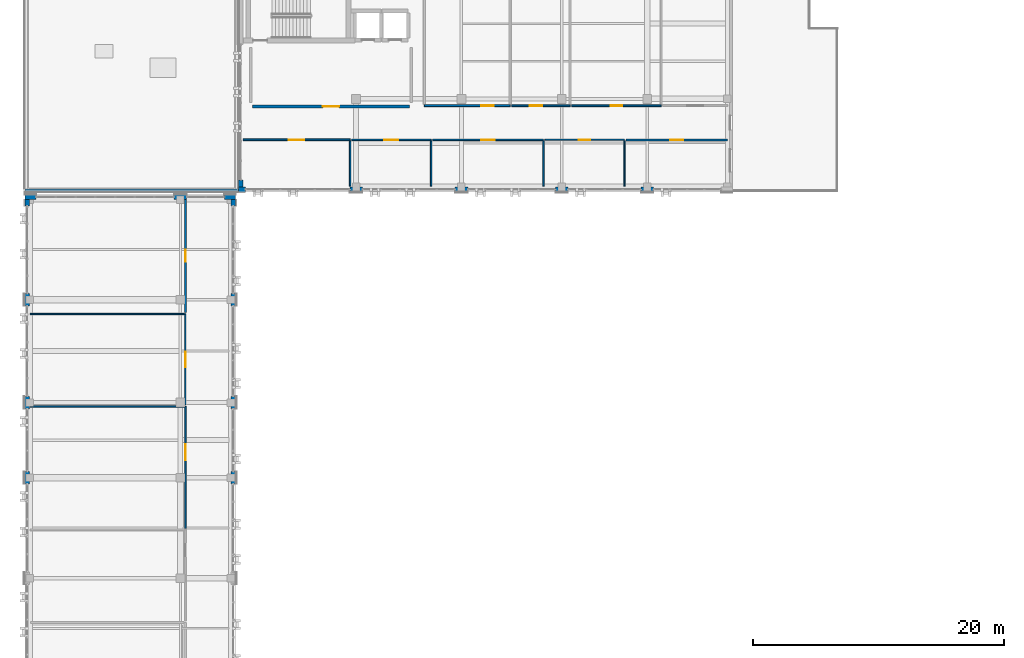
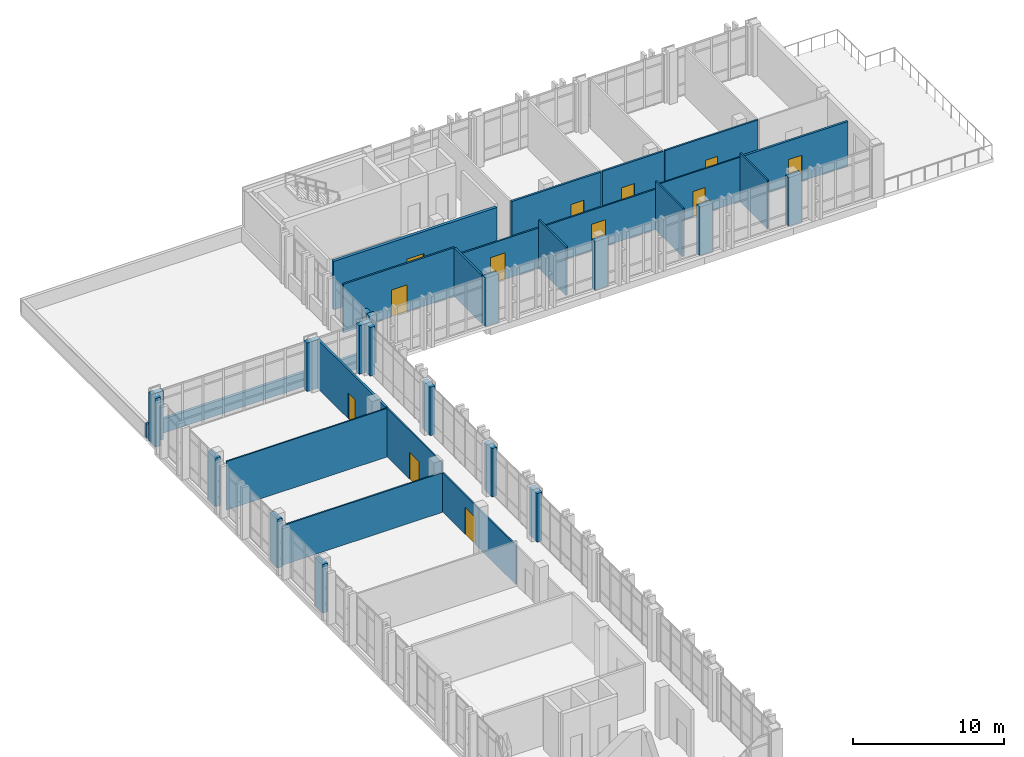
# One storey, part 70 of 90: 36 walls, 12 doors, 12 openings.
"""IFC4 building model written with IfcOpenShell, lengths in metres."""

from ifc_helpers import new_model, si_unit, direction, frame, frame_2d, origin, place, context, subcontext, project, spatial, rectangle, extrude, material, layer, layer_set, type_object, element, fill, save


model = new_model("IFC4")

# Units and contexts
model_context = context("Model", 3, precision=1e-05, world=origin(), true_north=direction((0.0, 1.0)))
body_context = subcontext(model_context, "Body", "Model", "MODEL_VIEW")
ifc_project = project(units=[si_unit("LENGTHUNIT", "METRE"), si_unit("AREAUNIT", "SQUARE_METRE"), si_unit("VOLUMEUNIT", "CUBIC_METRE"), si_unit("PLANEANGLEUNIT", "RADIAN"), si_unit("MASSUNIT", "GRAM", prefix="KILO")], contexts=[model_context])

# Site, building, storey
site_placement = place(None, origin())
site = spatial("IfcSite", under=ifc_project, at=site_placement, CompositionType="ELEMENT")
building_placement = place(site_placement, origin())
building = spatial("IfcBuilding", under=site, at=building_placement, Name="Qalavern Law Courts", CompositionType="ELEMENT")
storey_placement = place(building_placement, frame((0.0, 0.0, 22.800048828125)))
storey = spatial("IfcBuildingStorey", under=building, at=storey_placement, Name="L05", CompositionType="ELEMENT", Elevation=22.800048828125)

# Walls
ifc_material_1 = material(Name="Concrete C40/50", Category="concrete")
ifc_layer_1 = layer(ifc_material_1, 0.385009765625)
ifc_layer_set_1 = layer_set([ifc_layer_1], Name="Concrete C40/50")
wall_type_1 = type_object("IfcWallType", Name="ENV-EW-385", PredefinedType="SOLIDWALL", material=ifc_layer_set_1)
for number, where, z_axis, x_axis, name in (
    (1, (18.607421875, 72.89990234375, 0.0), (0.0, 0.0, 1.0), (0.0, 1.0, 0.0), "V3 exterior pier wall L05 east 5"),
    (2, (18.607421875, 78.89990234375, 0.0), (0.0, 0.0, 1.0), (0.0, 1.0, 0.0), "V3 exterior pier wall L05 east 6"),
    (3, (18.607421875, 87.10009765625, 0.0), (0.0, 0.0, 1.0), (0.0, 1.0, 0.0), "V3 exterior pier wall L05 east 7"),
):
    element("IfcWall", number, at=place(storey_placement, frame(where, z_axis=z_axis, x_axis=x_axis)), inside=storey, type_object=wall_type_1, Name=name, PredefinedType="SOLIDWALL", context=body_context, shape_type="SweptSolid", body=[
        extrude(rectangle(XDim=1.0, YDim=0.385009765625, at=frame_2d((0.5, 0.0))), origin(), (0.0, 0.0, 1.0), 3.929931640625),
    ])
wall_1_placement = place(storey_placement, frame((18.607421875, 95.050048828125, 0.0), z_axis=(0.0, 0.0, 1.0), x_axis=(0.0, 1.0, 0.0)))
element("IfcWall", 4, at=wall_1_placement, inside=storey, type_object=wall_type_1, Name="V3 exterior pier wall L05 east 8", PredefinedType="SOLIDWALL", context=body_context, shape_type="SweptSolid", body=[
    extrude(rectangle(XDim=0.550048828125, YDim=0.385009765625, at=frame_2d((0.27490234375, 0.0))), origin(), (0.0, 0.0, 1.0), 3.929931640625),
])
wall_2_placement = place(storey_placement, frame((18.800048828125, 95.78759765625, 0.0), z_axis=(0.0, 0.0, 1.0), x_axis=(-1.0, 0.0, 0.0)))
element("IfcWall", 5, at=wall_2_placement, inside=storey, type_object=wall_type_1, Name="V3 exterior pier wall L05 north 1", PredefinedType="SOLIDWALL", context=body_context, shape_type="SweptSolid", body=[
    extrude(rectangle(XDim=0.900146484375, YDim=0.385009765625, at=frame_2d((0.4501953125, 0.0))), origin(), (0.0, 0.0, 1.0), 3.929931640625),
])
wall_3_placement = place(storey_placement, frame((14.89990234375, 95.78759765625, 0.0), z_axis=(0.0, 0.0, 1.0), x_axis=(-1.0, 0.0, 0.0)))
element("IfcWall", 6, at=wall_3_placement, inside=storey, type_object=wall_type_1, Name="V3 exterior pier wall L05 north 2", PredefinedType="SOLIDWALL", context=body_context, shape_type="SweptSolid", body=[
    extrude(rectangle(XDim=1.0, YDim=0.385009765625, at=frame_2d((0.5, 0.0))), origin(), (0.0, 0.0, 1.0), 3.929931640625),
])
wall_4_placement = place(storey_placement, frame((2.89990234375, 95.78759765625, 0.0), z_axis=(0.0, 0.0, 1.0), x_axis=(-1.0, 0.0, 0.0)))
element("IfcWall", 7, at=wall_4_placement, inside=storey, type_object=wall_type_1, Name="V3 exterior pier wall L05 north 3", PredefinedType="SOLIDWALL", context=body_context, shape_type="SweptSolid", body=[
    extrude(rectangle(XDim=0.89990234375, YDim=0.385009765625, at=frame_2d((0.449951171875, 0.0))), origin(), (0.0, 0.0, 1.0), 3.929931640625),
])
wall_5_placement = place(storey_placement, frame((2.1923828125, 95.60009765625, 0.0), z_axis=(0.0, 0.0, 1.0), x_axis=(0.0, -1.0, 0.0)))
element("IfcWall", 8, at=wall_5_placement, inside=storey, type_object=wall_type_1, Name="V3 exterior pier wall L05 west 1", PredefinedType="SOLIDWALL", context=body_context, shape_type="SweptSolid", body=[
    extrude(rectangle(XDim=0.550048828125, YDim=0.385009765625, at=frame_2d((0.27490234375, 0.0))), origin(), (0.0, 0.0, 1.0), 3.929931640625),
])
for number, where, z_axis, x_axis, name in (
    (9, (2.1923828125, 88.10009765625, 0.0), (0.0, 0.0, 1.0), (0.0, -1.0, 0.0), "V3 exterior pier wall L05 west 2"),
    (10, (2.1923828125, 79.89990234375, 0.0), (0.0, 0.0, 1.0), (0.0, -1.0, 0.0), "V3 exterior pier wall L05 west 3"),
    (11, (2.1923828125, 73.89990234375, 0.0), (0.0, 0.0, 1.0), (0.0, -1.0, 0.0), "V3 exterior pier wall L05 west 4"),
):
    element("IfcWall", number, at=place(storey_placement, frame(where, z_axis=z_axis, x_axis=x_axis)), inside=storey, type_object=wall_type_1, Name=name, PredefinedType="SOLIDWALL", context=body_context, shape_type="SweptSolid", body=[
        extrude(rectangle(XDim=1.0, YDim=0.385009765625, at=frame_2d((0.5, 0.0))), origin(), (0.0, 0.0, 1.0), 3.929931640625),
    ])
wall_6_placement = place(storey_placement, frame((19.02001953125, 96.392578125, 0.0), z_axis=(0.0, 0.0, 1.0), x_axis=(1.0, 0.0, 0.0)))
element("IfcWall", 12, at=wall_6_placement, inside=storey, type_object=wall_type_1, Name="V5 exterior pier wall L05 south 1", PredefinedType="SOLIDWALL", context=body_context, shape_type="SweptSolid", body=[
    extrude(rectangle(XDim=0.550048828125, YDim=0.385009765625, at=frame_2d((0.27490234375, 0.0))), origin(), (0.0, 0.0, 1.0), 3.929931640625),
])
for number, where, z_axis, x_axis, name in (
    (13, (27.89990234375, 96.392578125, 0.0), (0.0, 0.0, 1.0), (1.0, 0.0, 0.0), "V5 exterior pier wall L05 south 2"),
    (14, (36.300048828125, 96.392578125, 0.0), (0.0, 0.0, 1.0), (1.0, 0.0, 0.0), "V5 exterior pier wall L05 south 3"),
    (15, (44.300048828125, 96.392578125, 0.0), (0.0, 0.0, 1.0), (1.0, 0.0, 0.0), "V5 exterior pier wall L05 south 4"),
    (16, (51.10009765625, 96.392578125, 0.0), (0.0, 0.0, 1.0), (1.0, 0.0, 0.0), "V5 exterior pier wall L05 south 5"),
):
    element("IfcWall", number, at=place(storey_placement, frame(where, z_axis=z_axis, x_axis=x_axis)), inside=storey, type_object=wall_type_1, Name=name, PredefinedType="SOLIDWALL", context=body_context, shape_type="SweptSolid", body=[
        extrude(rectangle(XDim=1.0, YDim=0.385009765625, at=frame_2d((0.5, 0.0))), origin(), (0.0, 0.0, 1.0), 3.929931640625),
    ])
wall_7_placement = place(storey_placement, frame((19.21240234375, 97.1298828125, 0.0), z_axis=(0.0, 0.0, 1.0), x_axis=(0.0, -1.0, 0.0)))
element("IfcWall", 17, at=wall_7_placement, inside=storey, type_object=wall_type_1, Name="V5 exterior pier wall L05 west 2", PredefinedType="SOLIDWALL", context=body_context, shape_type="SweptSolid", body=[
    extrude(rectangle(XDim=0.5498046875, YDim=0.385009765625, at=frame_2d((0.27490234375, 0.0))), origin(), (0.0, 0.0, 1.0), 3.929931640625),
])
ifc_layer_2 = layer(ifc_material_1, 0.219970703125)
ifc_layer_set_2 = layer_set([ifc_layer_2], Name="Concrete C40/50")
wall_type_2 = type_object("IfcWallType", Name="ENV-PAR-220", PredefinedType="PARAPET", material=ifc_layer_set_2)
wall_8_placement = place(storey_placement, frame((2.0, 96.31005859375, 0.0), z_axis=(0.0, 0.0, 1.0), x_axis=(1.0, 0.0, 0.0)))
element("IfcWall", 18, at=wall_8_placement, inside=storey, type_object=wall_type_2, Name="V5 roof parapet L05 S", PredefinedType="PARAPET", context=body_context, shape_type="SweptSolid", body=[
    extrude(rectangle(XDim=17.02001953125, YDim=0.219970703125, at=frame_2d((8.510009765625, 0.0))), origin(), (0.0, 0.0, 1.0), 1.14990234375),
])

# Wall, opening, door
ifc_layer_3 = layer(ifc_material_1, 0.22509765625)
ifc_layer_set_3 = layer_set([ifc_layer_3], Name="Concrete C40/50")
wall_type_3 = type_object("IfcWallType", Name="INT-FW-225", PredefinedType="PARTITIONING", material=ifc_layer_set_3)
wall_9_placement = place(storey_placement, frame((20.14990234375, 103.0, 0.0), z_axis=(0.0, 0.0, 1.0), x_axis=(1.0, 0.0, 0.0)))
wall_9 = element("IfcWall", 19, at=wall_9_placement, inside=storey, type_object=wall_type_3, Name="Core K3 firefighting/stair lobby fire wall L05", PredefinedType="PARTITIONING", context=body_context, shape_type="SweptSolid", body=[
    extrude(rectangle(XDim=12.5, YDim=0.22509765625, at=frame_2d((6.25, 0.0))), origin(), (0.0, 0.0, 1.0), 3.929931640625),
])
opening_1_placement = place(wall_9_placement, frame((5.60009765625, 0.0, 0.0)))
opening_1 = element("IfcOpeningElement", 20, at=opening_1_placement, cuts=wall_9, Name="Opening L05-D084", PredefinedType="OPENING", context=body_context, shape_type="SweptSolid", body=[
    extrude(rectangle(XDim=1.300048828125, YDim=2.14990234375, at=frame_2d((0.64990234375, 1.074951171875))), frame((0.0, 0.12744140625, 0.0), z_axis=(0.0, -1.0, 0.0), x_axis=(1.0, 0.0, 0.0)), (0.0, 0.0, 1.0), 0.2548828125),
])
ifc_material_2 = material(Name="Steel fire-rated frame and acoustic timber leaves", Category="steel")
door_type_1 = type_object("IfcDoorType", Name="INT-FD-1300x2150", OperationType="DOUBLE_DOOR_SINGLE_SWING", PredefinedType="DOOR", material=ifc_material_2)
door_1_placement = place(opening_1_placement, origin())
door_1 = element("IfcDoor", 21, at=door_1_placement, inside=storey, type_object=door_type_1, Name="Core K3 lobby fire door L05", OperationType="DOUBLE_DOOR_SINGLE_SWING", OverallHeight=2.14990234375, OverallWidth=1.300048828125, PredefinedType="DOOR", context=body_context, shape_type="SweptSolid", body=[
    extrude(rectangle(XDim=1.300048828125, YDim=2.14990234375, at=frame_2d((0.64990234375, 1.074951171875))), frame((0.0, 0.02490234375, 0.0), z_axis=(0.0, -1.0, 0.0), x_axis=(1.0, 0.0, 0.0)), (0.0, 0.0, 1.0), 0.050048828125),
])
fill(opening_1, door_1)

ifc_material_3 = material(Name="Gypsum sanitary partition")
ifc_layer_4 = layer(ifc_material_3, 0.10205078125)
ifc_layer_set_4 = layer_set([ifc_layer_4], Name="Gypsum sanitary partition")
wall_type_4 = type_object("IfcWallType", Name="INT-PW-102", PredefinedType="PARTITIONING", material=ifc_layer_set_4)
wall_10_placement = place(storey_placement, frame((14.7900390625, 79.208984375, 0.0), z_axis=(0.0, 0.0, 1.0), x_axis=(0.0, 1.0, 0.0)))
wall_10 = element("IfcWall", 22, at=wall_10_placement, inside=storey, type_object=wall_type_4, Name="Witness Waiting Room corridor partition L05", PredefinedType="PARTITIONING", context=body_context, shape_type="SweptSolid", body=[
    extrude(rectangle(XDim=7.2509765625, YDim=0.10205078125, at=frame_2d((3.62548828125, 0.0))), origin(), (0.0, 0.0, 1.0), 3.929931640625),
])
opening_2_placement = place(wall_10_placement, frame((3.015380859375, 0.0, 0.0)))
opening_2 = element("IfcOpeningElement", 23, at=opening_2_placement, cuts=wall_10, Name="Opening L05-D236", PredefinedType="OPENING", context=body_context, shape_type="SweptSolid", body=[
    extrude(rectangle(XDim=1.219970703125, YDim=2.179931640625, at=frame_2d((0.60986328125, 1.08984375))), frame((0.0, 0.06591796875, 0.0), z_axis=(0.0, -1.0, 0.0), x_axis=(1.0, 0.0, 0.0)), (0.0, 0.0, 1.0), 0.1318359375),
])
ifc_material_4 = material(Name="Wide oak Plenary Boardroom door")
door_type_2 = type_object("IfcDoorType", Name="INT-ID-1220x2180", OperationType="NOTDEFINED", PredefinedType="DOOR", material=ifc_material_4)
door_2_placement = place(opening_2_placement, frame((1.219970703125, 0.0, 0.0), z_axis=(0.0, 0.0, 1.0), x_axis=(-1.0, 0.0, 0.0)))
door_2 = element("IfcDoor", 24, at=door_2_placement, inside=storey, type_object=door_type_2, Name="Witness Waiting Room door L05", OperationType="SINGLE_SWING_RIGHT", OverallHeight=2.179931640625, OverallWidth=1.219970703125, PredefinedType="DOOR", context=body_context, shape_type="SweptSolid", body=[
    extrude(rectangle(XDim=1.219970703125, YDim=2.179931640625, at=frame_2d((0.60986328125, 1.08984375))), frame((0.0, 0.02490234375, 0.0), z_axis=(0.0, -1.0, 0.0), x_axis=(1.0, 0.0, 0.0)), (0.0, 0.0, 1.0), 0.050048828125),
])
fill(opening_2, door_2)

# Wall
wall_11_placement = place(storey_placement, frame((2.43994140625, 86.4599609375, 0.0), z_axis=(0.0, 0.0, 1.0), x_axis=(1.0, 0.0, 0.0)))
element("IfcWall", 25, at=wall_11_placement, inside=storey, type_object=wall_type_4, Name="Witness Waiting Room cross partition L05 north", PredefinedType="PARTITIONING", context=body_context, shape_type="SweptSolid", body=[
    extrude(rectangle(XDim=12.279052734375, YDim=0.10205078125, at=frame_2d((6.1396484375, 0.0))), origin(), (0.0, 0.0, 1.0), 3.929931640625),
])

# Wall, opening, door
wall_12_placement = place(storey_placement, frame((43.445068359375, 100.340087890625, 0.0), z_axis=(0.0, 0.0, 1.0), x_axis=(1.0, 0.0, 0.0)))
wall_12 = element("IfcWall", 26, at=wall_12_placement, inside=storey, type_object=wall_type_4, Name="Accessible WC corridor partition L05", PredefinedType="PARTITIONING", context=body_context, shape_type="SweptSolid", body=[
    extrude(rectangle(XDim=6.343017578125, YDim=0.10205078125, at=frame_2d((3.17138671875, 0.0))), origin(), (0.0, 0.0, 1.0), 3.579833984375),
])
opening_3_placement = place(wall_12_placement, frame((2.71142578125, 0.0, 0.0)))
opening_3 = element("IfcOpeningElement", 27, at=opening_3_placement, cuts=wall_12, Name="Opening L05-D392", PredefinedType="OPENING", context=body_context, shape_type="SweptSolid", body=[
    extrude(rectangle(XDim=0.919921875, YDim=2.06005859375, at=frame_2d((0.4599609375, 1.030029296875))), frame((0.0, 0.06591796875, 0.0), z_axis=(0.0, -1.0, 0.0), x_axis=(1.0, 0.0, 0.0)), (0.0, 0.0, 1.0), 0.1318359375),
])
ifc_material_5 = material(Name="Public and Staff WC door")
door_type_3 = type_object("IfcDoorType", Name="INT-ID-920x2060", OperationType="NOTDEFINED", PredefinedType="DOOR", material=ifc_material_5)
door_3_placement = place(opening_3_placement, frame((0.919921875, 0.0, 0.0), z_axis=(0.0, 0.0, 1.0), x_axis=(-1.0, 0.0, 0.0)))
door_3 = element("IfcDoor", 28, at=door_3_placement, inside=storey, type_object=door_type_3, Name="Accessible WC door L05", OperationType="SINGLE_SWING_LEFT", OverallHeight=2.06005859375, OverallWidth=0.919921875, PredefinedType="DOOR", context=body_context, shape_type="SweptSolid", body=[
    extrude(rectangle(XDim=0.919921875, YDim=2.06005859375, at=frame_2d((0.4599609375, 1.030029296875))), frame((0.0, 0.02490234375, 0.0), z_axis=(0.0, -1.0, 0.0), x_axis=(1.0, 0.0, 0.0)), (0.0, 0.0, 1.0), 0.050048828125),
])
fill(opening_3, door_3)

# Wall
wall_13_placement = place(storey_placement, frame((49.7880859375, 96.639892578125, 0.0), z_axis=(0.0, 0.0, 1.0), x_axis=(0.0, 1.0, 0.0)))
element("IfcWall", 29, at=wall_13_placement, inside=storey, type_object=wall_type_4, Name="Accessible WC cross partition L05 east", PredefinedType="PARTITIONING", context=body_context, shape_type="SweptSolid", body=[
    extrude(rectangle(XDim=3.629150390625, YDim=0.10205078125, at=frame_2d((1.814453125, 0.0))), origin(), (0.0, 0.0, 1.0), 3.929931640625),
])

# Wall, opening, door
ifc_material_6 = material(Name="Gypsum stud partition")
ifc_layer_5 = layer(ifc_material_6, 0.112060546875)
ifc_layer_set_5 = layer_set([ifc_layer_5], Name="Gypsum stud partition")
wall_type_5 = type_object("IfcWallType", Name="INT-PW-112", PredefinedType="PARTITIONING", material=ifc_layer_set_5)
wall_14_placement = place(storey_placement, frame((14.7900390625, 69.364013671875, 0.0), z_axis=(0.0, 0.0, 1.0), x_axis=(0.0, 1.0, 0.0)))
wall_14 = element("IfcWall", 30, at=wall_14_placement, inside=storey, type_object=wall_type_5, Name="Mediation Suite corridor partition L05", PredefinedType="PARTITIONING", context=body_context, shape_type="SweptSolid", body=[
    extrude(rectangle(XDim=9.72509765625, YDim=0.112060546875, at=frame_2d((4.862548828125, 0.0))), origin(), (0.0, 0.0, 1.0), 3.159912109375),
])
opening_4_placement = place(wall_14_placement, frame((5.422607421875, 0.0, 0.0)))
opening_4 = element("IfcOpeningElement", 31, at=opening_4_placement, cuts=wall_14, Name="Opening L05-D235", PredefinedType="OPENING", context=body_context, shape_type="SweptSolid", body=[
    extrude(rectangle(XDim=1.280029296875, YDim=2.179931640625, at=frame_2d((0.64013671875, 1.08984375))), frame((0.0, 0.07080078125, 0.0), z_axis=(0.0, -1.0, 0.0), x_axis=(1.0, 0.0, 0.0)), (0.0, 0.0, 1.0), 0.141845703125),
])
ifc_material_7 = material(Name="Wide oak Judicial Conference door")
door_type_4 = type_object("IfcDoorType", Name="INT-ID-1280x2180", OperationType="NOTDEFINED", PredefinedType="DOOR", material=ifc_material_7)
door_4_placement = place(opening_4_placement, frame((1.280029296875, 0.0, 0.0), z_axis=(0.0, 0.0, 1.0), x_axis=(-1.0, 0.0, 0.0)))
door_4 = element("IfcDoor", 32, at=door_4_placement, inside=storey, type_object=door_type_4, Name="Mediation Suite door L05", OperationType="SINGLE_SWING_LEFT", OverallHeight=2.179931640625, OverallWidth=1.280029296875, PredefinedType="DOOR", context=body_context, shape_type="SweptSolid", body=[
    extrude(rectangle(XDim=1.280029296875, YDim=2.179931640625, at=frame_2d((0.64013671875, 1.08984375))), frame((0.0, 0.02490234375, 0.0), z_axis=(0.0, -1.0, 0.0), x_axis=(1.0, 0.0, 0.0)), (0.0, 0.0, 1.0), 0.050048828125),
])
fill(opening_4, door_4)

# Wall
wall_15_placement = place(storey_placement, frame((2.43994140625, 79.089111328125, 0.0), z_axis=(0.0, 0.0, 1.0), x_axis=(1.0, 0.0, 0.0)))
element("IfcWall", 33, at=wall_15_placement, inside=storey, type_object=wall_type_5, Name="Mediation Suite cross partition L05 north", PredefinedType="PARTITIONING", context=body_context, shape_type="SweptSolid", body=[
    extrude(rectangle(XDim=12.274169921875, YDim=0.112060546875, at=frame_2d((6.13720703125, 0.0))), origin(), (0.0, 0.0, 1.0), 3.2099609375),
])

# Wall, opening, door
wall_16_placement = place(storey_placement, frame((34.507080078125, 100.340087890625, 0.0), z_axis=(0.0, 0.0, 1.0), x_axis=(1.0, 0.0, 0.0)))
wall_16 = element("IfcWall", 34, at=wall_16_placement, inside=storey, type_object=wall_type_5, Name="Judicial Clerks' Office corridor partition L05", PredefinedType="PARTITIONING", context=body_context, shape_type="SweptSolid", body=[
    extrude(rectangle(XDim=8.81787109375, YDim=0.112060546875, at=frame_2d((4.408935546875, 0.0))), origin(), (0.0, 0.0, 1.0), 3.260009765625),
])
opening_5_placement = place(wall_16_placement, frame((3.864013671875, 0.0, 0.0)))
opening_5 = element("IfcOpeningElement", 35, at=opening_5_placement, cuts=wall_16, Name="Opening L05-D391", PredefinedType="OPENING", context=body_context, shape_type="SweptSolid", body=[
    extrude(rectangle(XDim=1.090087890625, YDim=2.1298828125, at=frame_2d((0.544921875, 1.06494140625))), frame((0.0, 0.07080078125, 0.0), z_axis=(0.0, -1.0, 0.0), x_axis=(1.0, 0.0, 0.0)), (0.0, 0.0, 1.0), 0.141845703125),
])
ifc_material_8 = material(Name="Solid oak Senior Judges' Chambers door")
door_type_5 = type_object("IfcDoorType", Name="INT-ID-1090x2130", OperationType="NOTDEFINED", PredefinedType="DOOR", material=ifc_material_8)
door_5_placement = place(opening_5_placement, frame((1.090087890625, 0.0, 0.0), z_axis=(0.0, 0.0, 1.0), x_axis=(-1.0, 0.0, 0.0)))
door_5 = element("IfcDoor", 36, at=door_5_placement, inside=storey, type_object=door_type_5, Name="Judicial Clerks' Office door L05", OperationType="SINGLE_SWING_RIGHT", OverallHeight=2.1298828125, OverallWidth=1.090087890625, PredefinedType="DOOR", context=body_context, shape_type="SweptSolid", body=[
    extrude(rectangle(XDim=1.090087890625, YDim=2.1298828125, at=frame_2d((0.544921875, 1.06494140625))), frame((0.0, 0.02490234375, 0.0), z_axis=(0.0, -1.0, 0.0), x_axis=(1.0, 0.0, 0.0)), (0.0, 0.0, 1.0), 0.050048828125),
])
fill(opening_5, door_5)

# Wall
wall_17_placement = place(storey_placement, frame((43.324951171875, 96.639892578125, 0.0), z_axis=(0.0, 0.0, 1.0), x_axis=(0.0, 1.0, 0.0)))
element("IfcWall", 37, at=wall_17_placement, inside=storey, type_object=wall_type_5, Name="Judicial Clerks' Office cross partition L05 east", PredefinedType="PARTITIONING", context=body_context, shape_type="SweptSolid", body=[
    extrude(rectangle(XDim=3.6240234375, YDim=0.112060546875, at=frame_2d((1.81201171875, 0.0))), origin(), (0.0, 0.0, 1.0), 3.929931640625),
])

# Wall, opening, door
ifc_layer_6 = layer(ifc_material_6, 0.1220703125)
ifc_layer_set_6 = layer_set([ifc_layer_6], Name="Gypsum stud partition")
wall_type_6 = type_object("IfcWallType", Name="INT-PW-122", PredefinedType="PARTITIONING", material=ifc_layer_set_6)
wall_18_placement = place(storey_placement, frame((28.044921875, 100.340087890625, 0.0), z_axis=(0.0, 0.0, 1.0), x_axis=(1.0, 0.0, 0.0)))
wall_18 = element("IfcWall", 38, at=wall_18_placement, inside=storey, type_object=wall_type_6, Name="Judicial Conference Room corridor partition L05", PredefinedType="PARTITIONING", context=body_context, shape_type="SweptSolid", body=[
    extrude(rectangle(XDim=6.342041015625, YDim=0.1220703125, at=frame_2d((3.1708984375, 0.0))), origin(), (0.0, 0.0, 1.0), 3.260009765625),
])
opening_6_placement = place(wall_18_placement, frame((2.611083984375, 0.0, 0.0)))
opening_6 = element("IfcOpeningElement", 39, at=opening_6_placement, cuts=wall_18, Name="Opening L05-D390", PredefinedType="OPENING", context=body_context, shape_type="SweptSolid", body=[
    extrude(rectangle(XDim=1.1201171875, YDim=2.139892578125, at=frame_2d((0.56005859375, 1.06982421875))), frame((0.0, 0.075927734375, 0.0), z_axis=(0.0, -1.0, 0.0), x_axis=(1.0, 0.0, 0.0)), (0.0, 0.0, 1.0), 0.15185546875),
])
ifc_material_9 = material(Name="Solid oak Appellate Chambers door")
door_type_6 = type_object("IfcDoorType", Name="INT-ID-1120x2140", OperationType="NOTDEFINED", PredefinedType="DOOR", material=ifc_material_9)
door_6_placement = place(opening_6_placement, frame((1.1201171875, 0.0, 0.0), z_axis=(0.0, 0.0, 1.0), x_axis=(-1.0, 0.0, 0.0)))
door_6 = element("IfcDoor", 40, at=door_6_placement, inside=storey, type_object=door_type_6, Name="Judicial Conference Room door L05", OperationType="SINGLE_SWING_LEFT", OverallHeight=2.139892578125, OverallWidth=1.1201171875, PredefinedType="DOOR", context=body_context, shape_type="SweptSolid", body=[
    extrude(rectangle(XDim=1.1201171875, YDim=2.139892578125, at=frame_2d((0.56005859375, 1.06982421875))), frame((0.0, 0.02490234375, 0.0), z_axis=(0.0, -1.0, 0.0), x_axis=(1.0, 0.0, 0.0)), (0.0, 0.0, 1.0), 0.050048828125),
])
fill(opening_6, door_6)

# Wall
wall_19_placement = place(storey_placement, frame((34.386962890625, 96.639892578125, 0.0), z_axis=(0.0, 0.0, 1.0), x_axis=(0.0, 1.0, 0.0)))
element("IfcWall", 41, at=wall_19_placement, inside=storey, type_object=wall_type_6, Name="Judicial Conference Room cross partition L05 east", PredefinedType="PARTITIONING", context=body_context, shape_type="SweptSolid", body=[
    extrude(rectangle(XDim=3.619140625, YDim=0.1220703125, at=frame_2d((1.8095703125, 0.0))), origin(), (0.0, 0.0, 1.0), 3.929931640625),
])

# Wall, opening, door
ifc_layer_7 = layer(ifc_material_6, 0.132080078125)
ifc_layer_set_7 = layer_set([ifc_layer_7], Name="Gypsum stud partition")
wall_type_7 = type_object("IfcWallType", Name="INT-PW-132", PredefinedType="PARTITIONING", material=ifc_layer_set_7)
wall_20_placement = place(storey_placement, frame((19.39990234375, 100.340087890625, 0.0), z_axis=(0.0, 0.0, 1.0), x_axis=(1.0, 0.0, 0.0)))
wall_20 = element("IfcWall", 42, at=wall_20_placement, inside=storey, type_object=wall_type_7, Name="Senior Judges' Chambers corridor partition L05", PredefinedType="PARTITIONING", context=body_context, shape_type="SweptSolid", body=[
    extrude(rectangle(XDim=8.525146484375, YDim=0.132080078125, at=frame_2d((4.2626953125, 0.0))), origin(), (0.0, 0.0, 1.0), 3.929931640625),
])
opening_7_placement = place(wall_20_placement, frame((3.652587890625, 0.0, 0.0)))
opening_7 = element("IfcOpeningElement", 43, at=opening_7_placement, cuts=wall_20, Name="Opening L05-D389", PredefinedType="OPENING", context=body_context, shape_type="SweptSolid", body=[
    extrude(rectangle(XDim=1.219970703125, YDim=2.179931640625, at=frame_2d((0.60986328125, 1.08984375))), frame((0.0, 0.0810546875, 0.0), z_axis=(0.0, -1.0, 0.0), x_axis=(1.0, 0.0, 0.0)), (0.0, 0.0, 1.0), 0.161865234375),
])
door_7_placement = place(opening_7_placement, frame((1.219970703125, 0.0, 0.0), z_axis=(0.0, 0.0, 1.0), x_axis=(-1.0, 0.0, 0.0)))
door_7 = element("IfcDoor", 44, at=door_7_placement, inside=storey, type_object=door_type_2, Name="Senior Judges' Chambers door L05", OperationType="SINGLE_SWING_RIGHT", OverallHeight=2.179931640625, OverallWidth=1.219970703125, PredefinedType="DOOR", context=body_context, shape_type="SweptSolid", body=[
    extrude(rectangle(XDim=1.219970703125, YDim=2.179931640625, at=frame_2d((0.60986328125, 1.08984375))), frame((0.0, 0.02490234375, 0.0), z_axis=(0.0, -1.0, 0.0), x_axis=(1.0, 0.0, 0.0)), (0.0, 0.0, 1.0), 0.050048828125),
])
fill(opening_7, door_7)

# Wall
wall_21_placement = place(storey_placement, frame((27.925048828125, 96.639892578125, 0.0), z_axis=(0.0, 0.0, 1.0), x_axis=(0.0, 1.0, 0.0)))
element("IfcWall", 45, at=wall_21_placement, inside=storey, type_object=wall_type_7, Name="Senior Judges' Chambers cross partition L05 east", PredefinedType="PARTITIONING", context=body_context, shape_type="SweptSolid", body=[
    extrude(rectangle(XDim=3.614013671875, YDim=0.132080078125, at=frame_2d((1.80712890625, 0.0))), origin(), (0.0, 0.0, 1.0), 3.929931640625),
])

# Wall, opening, door
wall_22_placement = place(storey_placement, frame((45.576904296875, 103.06005859375, 0.0), z_axis=(0.0, 0.0, 1.0), x_axis=(1.0, 0.0, 0.0)))
wall_22 = element("IfcWall", 46, at=wall_22_placement, inside=storey, type_object=wall_type_7, Name="Accessible WC corridor partition L05", PredefinedType="PARTITIONING", context=body_context, shape_type="SweptSolid", body=[
    extrude(rectangle(XDim=7.133056640625, YDim=0.132080078125, at=frame_2d((3.56640625, 0.0))), origin(), (0.0, 0.0, 1.0), 3.929931640625),
])
opening_8_placement = place(wall_22_placement, frame((3.1064453125, 0.0, 0.0)))
opening_8 = element("IfcOpeningElement", 47, at=opening_8_placement, cuts=wall_22, Name="Opening L05-D396", PredefinedType="OPENING", context=body_context, shape_type="SweptSolid", body=[
    extrude(rectangle(XDim=0.919921875, YDim=2.06005859375, at=frame_2d((0.4599609375, 1.030029296875))), frame((0.0, 0.0810546875, 0.0), z_axis=(0.0, -1.0, 0.0), x_axis=(1.0, 0.0, 0.0)), (0.0, 0.0, 1.0), 0.161865234375),
])
door_8_placement = place(opening_8_placement, origin())
door_8 = element("IfcDoor", 48, at=door_8_placement, inside=storey, type_object=door_type_3, Name="Accessible WC door L05", OperationType="SINGLE_SWING_LEFT", OverallHeight=2.06005859375, OverallWidth=0.919921875, PredefinedType="DOOR", context=body_context, shape_type="SweptSolid", body=[
    extrude(rectangle(XDim=0.919921875, YDim=2.06005859375, at=frame_2d((0.4599609375, 1.030029296875))), frame((0.0, 0.02490234375, 0.0), z_axis=(0.0, -1.0, 0.0), x_axis=(1.0, 0.0, 0.0)), (0.0, 0.0, 1.0), 0.050048828125),
])
fill(opening_8, door_8)

ifc_layer_8 = layer(ifc_material_6, 0.14208984375)
ifc_layer_set_8 = layer_set([ifc_layer_8], Name="Gypsum stud partition")
wall_type_8 = type_object("IfcWallType", Name="INT-PW-142", PredefinedType="PARTITIONING", material=ifc_layer_set_8)
wall_23_placement = place(storey_placement, frame((40.800048828125, 103.06005859375, 0.0), z_axis=(0.0, 0.0, 1.0), x_axis=(1.0, 0.0, 0.0)))
wall_23 = element("IfcWall", 49, at=wall_23_placement, inside=storey, type_object=wall_type_8, Name="Judicial Clerks' Office corridor partition L05", PredefinedType="PARTITIONING", context=body_context, shape_type="SweptSolid", body=[
    extrude(rectangle(XDim=4.656982421875, YDim=0.14208984375, at=frame_2d((2.32861328125, 0.0))), origin(), (0.0, 0.0, 1.0), 3.929931640625),
])
opening_9_placement = place(wall_23_placement, frame((1.4384765625, 0.0, 0.0)))
opening_9 = element("IfcOpeningElement", 50, at=opening_9_placement, cuts=wall_23, Name="Opening L05-D395", PredefinedType="OPENING", context=body_context, shape_type="SweptSolid", body=[
    extrude(rectangle(XDim=0.97998046875, YDim=2.090087890625, at=frame_2d((0.489990234375, 1.044921875))), frame((0.0, 0.0859375, 0.0), z_axis=(0.0, -1.0, 0.0), x_axis=(1.0, 0.0, 0.0)), (0.0, 0.0, 1.0), 0.171875),
])
ifc_material_10 = material(Name="Timber Legal Research Office door", Category="wood")
door_type_7 = type_object("IfcDoorType", Name="INT-ID-980x2090", OperationType="NOTDEFINED", PredefinedType="DOOR", material=ifc_material_10)
door_9_placement = place(opening_9_placement, origin())
door_9 = element("IfcDoor", 51, at=door_9_placement, inside=storey, type_object=door_type_7, Name="Judicial Clerks' Office door L05", OperationType="SINGLE_SWING_RIGHT", OverallHeight=2.090087890625, OverallWidth=0.97998046875, PredefinedType="DOOR", context=body_context, shape_type="SweptSolid", body=[
    extrude(rectangle(XDim=0.97998046875, YDim=2.090087890625, at=frame_2d((0.489990234375, 1.044921875))), frame((0.0, 0.02490234375, 0.0), z_axis=(0.0, -1.0, 0.0), x_axis=(1.0, 0.0, 0.0)), (0.0, 0.0, 1.0), 0.050048828125),
])
fill(opening_9, door_9)

ifc_layer_9 = layer(ifc_material_6, 0.152099609375)
ifc_layer_set_9 = layer_set([ifc_layer_9], Name="Gypsum stud partition")
wall_type_9 = type_object("IfcWallType", Name="INT-PW-152", PredefinedType="PARTITIONING", material=ifc_layer_set_9)
wall_24_placement = place(storey_placement, frame((33.840087890625, 103.06005859375, 0.0), z_axis=(0.0, 0.0, 1.0), x_axis=(1.0, 0.0, 0.0)))
wall_24 = element("IfcWall", 52, at=wall_24_placement, inside=storey, type_object=wall_type_9, Name="Judicial Conference Room corridor partition L05", PredefinedType="PARTITIONING", context=body_context, shape_type="SweptSolid", body=[
    extrude(rectangle(XDim=6.83984375, YDim=0.152099609375, at=frame_2d((3.419921875, 0.0))), origin(), (0.0, 0.0, 1.0), 3.929931640625),
])
opening_10_placement = place(wall_24_placement, frame((4.52001953125, 0.0, 0.0)))
opening_10 = element("IfcOpeningElement", 53, at=opening_10_placement, cuts=wall_24, Name="Opening L05-D394", PredefinedType="OPENING", context=body_context, shape_type="SweptSolid", body=[
    extrude(rectangle(XDim=1.0, YDim=2.10009765625, at=frame_2d((0.5, 1.050048828125))), frame((0.0, 0.0908203125, 0.0), z_axis=(0.0, -1.0, 0.0), x_axis=(1.0, 0.0, 0.0)), (0.0, 0.0, 1.0), 0.181884765625),
])
ifc_material_11 = material(Name="Timber Judicial Clerks' Office door", Category="wood")
door_type_8 = type_object("IfcDoorType", Name="INT-ID-1000x2100", OperationType="NOTDEFINED", PredefinedType="DOOR", material=ifc_material_11)
door_10_placement = place(opening_10_placement, origin())
door_10 = element("IfcDoor", 54, at=door_10_placement, inside=storey, type_object=door_type_8, Name="Judicial Conference Room door L05", OperationType="SINGLE_SWING_LEFT", OverallHeight=2.10009765625, OverallWidth=1.0, PredefinedType="DOOR", context=body_context, shape_type="SweptSolid", body=[
    extrude(rectangle(XDim=1.0, YDim=2.10009765625, at=frame_2d((0.5, 1.050048828125))), frame((0.0, 0.02490234375, 0.0), z_axis=(0.0, -1.0, 0.0), x_axis=(1.0, 0.0, 0.0)), (0.0, 0.0, 1.0), 0.050048828125),
])
fill(opening_10, door_10)

ifc_layer_10 = layer(ifc_material_6, 0.162109375)
ifc_layer_set_10 = layer_set([ifc_layer_10], Name="Gypsum stud partition")
wall_type_10 = type_object("IfcWallType", Name="INT-PW-162", PredefinedType="PARTITIONING", material=ifc_layer_set_10)
wall_25_placement = place(storey_placement, frame((14.7900390625, 86.580078125, 0.0), z_axis=(0.0, 0.0, 1.0), x_axis=(0.0, 1.0, 0.0)))
wall_25 = element("IfcWall", 55, at=wall_25_placement, inside=storey, type_object=wall_type_10, Name="Staff WC corridor partition L05", PredefinedType="PARTITIONING", context=body_context, shape_type="SweptSolid", body=[
    extrude(rectangle(XDim=9.02001953125, YDim=0.162109375, at=frame_2d((4.510009765625, 0.0))), origin(), (0.0, 0.0, 1.0), 3.929931640625),
])
opening_11_placement = place(wall_25_placement, frame((4.0400390625, 0.0, 0.0)))
opening_11 = element("IfcOpeningElement", 56, at=opening_11_placement, cuts=wall_25, Name="Opening L05-D237", PredefinedType="OPENING", context=body_context, shape_type="SweptSolid", body=[
    extrude(rectangle(XDim=0.93994140625, YDim=2.070068359375, at=frame_2d((0.469970703125, 1.03515625))), frame((0.0, 0.095947265625, 0.0), z_axis=(0.0, -1.0, 0.0), x_axis=(1.0, 0.0, 0.0)), (0.0, 0.0, 1.0), 0.19189453125),
])
ifc_material_12 = material(Name="Accessible WC outward-clear door")
door_type_9 = type_object("IfcDoorType", Name="INT-ID-940x2070", OperationType="NOTDEFINED", PredefinedType="DOOR", material=ifc_material_12)
door_11_placement = place(opening_11_placement, frame((0.93994140625, 0.0, 0.0), z_axis=(0.0, 0.0, 1.0), x_axis=(-1.0, 0.0, 0.0)))
door_11 = element("IfcDoor", 57, at=door_11_placement, inside=storey, type_object=door_type_9, Name="Staff WC door L05", OperationType="SINGLE_SWING_LEFT", OverallHeight=2.070068359375, OverallWidth=0.93994140625, PredefinedType="DOOR", context=body_context, shape_type="SweptSolid", body=[
    extrude(rectangle(XDim=0.93994140625, YDim=2.070068359375, at=frame_2d((0.469970703125, 1.03515625))), frame((0.0, 0.02490234375, 0.0), z_axis=(0.0, -1.0, 0.0), x_axis=(1.0, 0.0, 0.0)), (0.0, 0.0, 1.0), 0.050048828125),
])
fill(opening_11, door_11)

wall_26_placement = place(storey_placement, frame((49.907958984375, 100.340087890625, 0.0), z_axis=(0.0, 0.0, 1.0), x_axis=(1.0, 0.0, 0.0)))
wall_26 = element("IfcWall", 58, at=wall_26_placement, inside=storey, type_object=wall_type_10, Name="Senior Judges' Chambers corridor partition L05", PredefinedType="PARTITIONING", context=body_context, shape_type="SweptSolid", body=[
    extrude(rectangle(XDim=8.112060546875, YDim=0.162109375, at=frame_2d((4.05615234375, 0.0))), origin(), (0.0, 0.0, 1.0), 3.60986328125),
])
opening_12_placement = place(wall_26_placement, frame((3.541015625, 0.0, 0.0)))
opening_12 = element("IfcOpeningElement", 59, at=opening_12_placement, cuts=wall_26, Name="Opening L05-D393", PredefinedType="OPENING", context=body_context, shape_type="SweptSolid", body=[
    extrude(rectangle(XDim=1.030029296875, YDim=2.110107421875, at=frame_2d((0.51513671875, 1.05517578125))), frame((0.0, 0.095947265625, 0.0), z_axis=(0.0, -1.0, 0.0), x_axis=(1.0, 0.0, 0.0)), (0.0, 0.0, 1.0), 0.19189453125),
])
ifc_material_13 = material(Name="Oak Mediation Suite door")
door_type_10 = type_object("IfcDoorType", Name="INT-ID-1030x2110", OperationType="NOTDEFINED", PredefinedType="DOOR", material=ifc_material_13)
door_12_placement = place(opening_12_placement, frame((1.030029296875, 0.0, 0.0), z_axis=(0.0, 0.0, 1.0), x_axis=(-1.0, 0.0, 0.0)))
door_12 = element("IfcDoor", 60, at=door_12_placement, inside=storey, type_object=door_type_10, Name="Senior Judges' Chambers door L05", OperationType="SINGLE_SWING_RIGHT", OverallHeight=2.110107421875, OverallWidth=1.030029296875, PredefinedType="DOOR", context=body_context, shape_type="SweptSolid", body=[
    extrude(rectangle(XDim=1.030029296875, YDim=2.110107421875, at=frame_2d((0.51513671875, 1.05517578125))), frame((0.0, 0.02490234375, 0.0), z_axis=(0.0, -1.0, 0.0), x_axis=(1.0, 0.0, 0.0)), (0.0, 0.0, 1.0), 0.050048828125),
])
fill(opening_12, door_12)

save(model, "model.ifc")
